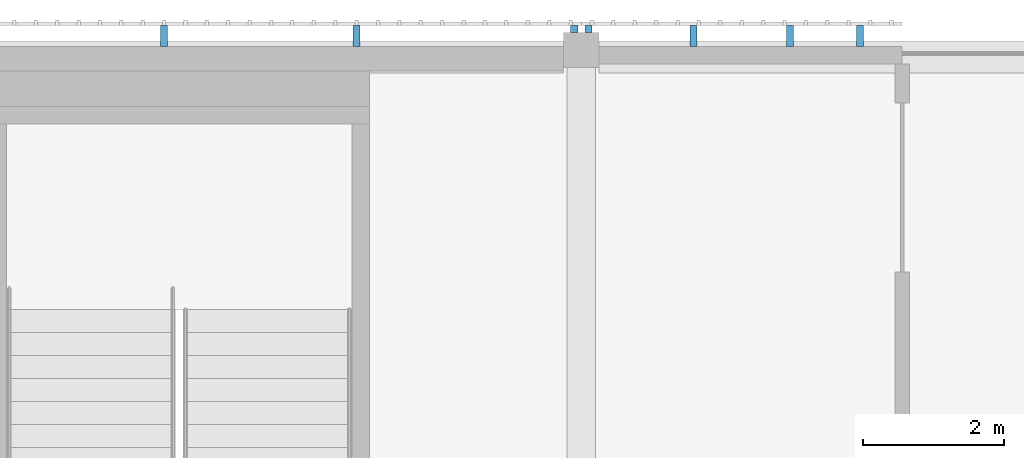
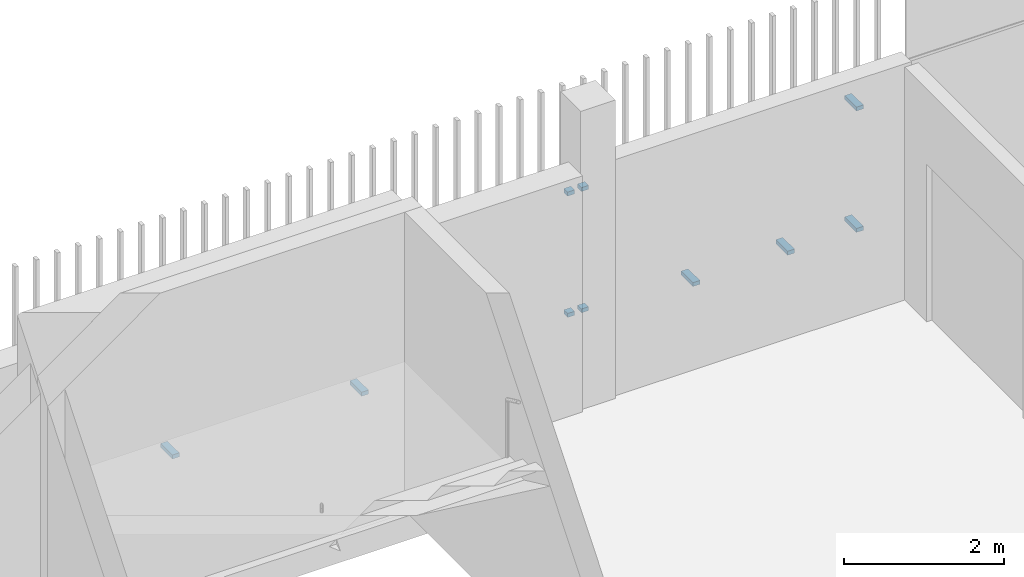
# One storey, part 68 of 91: 10 discrete accessories.
"""IFC4 building model written with IfcOpenShell, lengths in metres."""

from ifc_helpers import new_model, si_unit, direction, frame, origin, origin_2d, place, context, subcontext, project, spatial, rectangle, extrude, material, type_object, element, save


model = new_model("IFC4")

# Units and contexts
model_context = context("Model", 3, precision=1e-05, world=origin(), true_north=direction((0.0, 1.0)))
body_context = subcontext(model_context, "Body", "Model", "MODEL_VIEW")
ifc_project = project(units=[si_unit("LENGTHUNIT", "METRE"), si_unit("AREAUNIT", "SQUARE_METRE"), si_unit("VOLUMEUNIT", "CUBIC_METRE"), si_unit("PLANEANGLEUNIT", "RADIAN"), si_unit("MASSUNIT", "GRAM", prefix="KILO")], contexts=[model_context])

# Site, building, storey
site_placement = place(None, origin())
site = spatial("IfcSite", under=ifc_project, at=site_placement, CompositionType="ELEMENT")
building_placement = place(site_placement, origin())
building = spatial("IfcBuilding", under=site, at=building_placement, Name="Shirokan Park Arena", CompositionType="ELEMENT")
storey_placement = place(building_placement, frame((0.0, 0.0, 24.570068359375)))
storey = spatial("IfcBuildingStorey", under=building, at=storey_placement, Name="L05", CompositionType="ELEMENT", Elevation=24.570068359375)

# Discrete accessories
ifc_material = material(Name="Steel S355", Category="steel")
discrete_accessory_type = type_object("IfcDiscreteAccessoryType", Name="Veil bracket 100x60", PredefinedType="BRACKET", material=ifc_material)
discrete_accessory_1_placement = place(storey_placement, frame((40.35009765625, 109.49755859375, 1.06982421875), z_axis=(0.0, 0.0, 1.0), x_axis=(-1.0, 0.0, 0.0)))
element("IfcDiscreteAccessory", 1, at=discrete_accessory_1_placement, inside=storey, type_object=discrete_accessory_type, Name="Veil bracket north bay 12 L05 1", PredefinedType="BRACKET", context=body_context, shape_type="SweptSolid", body=[
    extrude(rectangle(XDim=0.10009765625, YDim=0.294921875, at=origin_2d()), origin(), (0.0, 0.0, 1.0), 0.06005859375),
])
discrete_accessory_2_placement = place(storey_placement, frame((36.5, 109.597412109375, 1.06982421875), z_axis=(0.0, 0.0, 1.0), x_axis=(-1.0, 0.0, 0.0)))
element("IfcDiscreteAccessory", 2, at=discrete_accessory_2_placement, inside=storey, type_object=discrete_accessory_type, Name="Veil bracket north bay 12 L05 2", PredefinedType="BRACKET", context=body_context, shape_type="SweptSolid", body=[
    extrude(rectangle(XDim=0.10009765625, YDim=0.094970703125, at=origin_2d()), origin(), (0.0, 0.0, 1.0), 0.06005859375),
])
discrete_accessory_3_placement = place(storey_placement, frame((40.35009765625, 109.49755859375, 2.919921875), z_axis=(0.0, 0.0, 1.0), x_axis=(-1.0, 0.0, 0.0)))
element("IfcDiscreteAccessory", 3, at=discrete_accessory_3_placement, inside=storey, type_object=discrete_accessory_type, Name="Veil bracket north bay 12 L05 3", PredefinedType="BRACKET", context=body_context, shape_type="SweptSolid", body=[
    extrude(rectangle(XDim=0.10009765625, YDim=0.294921875, at=origin_2d()), origin(), (0.0, 0.0, 1.0), 0.06005859375),
])
discrete_accessory_4_placement = place(storey_placement, frame((36.5, 109.597412109375, 2.919921875), z_axis=(0.0, 0.0, 1.0), x_axis=(-1.0, 0.0, 0.0)))
element("IfcDiscreteAccessory", 4, at=discrete_accessory_4_placement, inside=storey, type_object=discrete_accessory_type, Name="Veil bracket north bay 12 L05 4", PredefinedType="BRACKET", context=body_context, shape_type="SweptSolid", body=[
    extrude(rectangle(XDim=0.10009765625, YDim=0.094970703125, at=origin_2d()), origin(), (0.0, 0.0, 1.0), 0.06005859375),
])
for number, where, z_axis, x_axis, name in (
    (5, (39.357421875, 109.49755859375, 1.06982421875), (0.0, 0.0, 1.0), (-1.0, 0.0, 0.0), "Veil bracket north bay 12 L05 wall 1"),
    (6, (37.992431640625, 109.49755859375, 1.06982421875), (0.0, 0.0, 1.0), (-1.0, 0.0, 0.0), "Veil bracket north bay 12 L05 wall 2"),
):
    element("IfcDiscreteAccessory", number, at=place(storey_placement, frame(where, z_axis=z_axis, x_axis=x_axis)), inside=storey, type_object=discrete_accessory_type, Name=name, PredefinedType="BRACKET", context=body_context, shape_type="SweptSolid", body=[
        extrude(rectangle(XDim=0.10009765625, YDim=0.294921875, at=origin_2d()), origin(), (0.0, 0.0, 1.0), 0.06005859375),
    ])
for number, where, z_axis, x_axis, name in (
    (7, (36.300048828125, 109.597412109375, 1.06982421875), (0.0, 0.0, 1.0), (-1.0, 0.0, 0.0), "Veil bracket north bay 13 L05 1"),
    (8, (36.300048828125, 109.597412109375, 2.919921875), (0.0, 0.0, 1.0), (-1.0, 0.0, 0.0), "Veil bracket north bay 13 L05 3"),
):
    element("IfcDiscreteAccessory", number, at=place(storey_placement, frame(where, z_axis=z_axis, x_axis=x_axis)), inside=storey, type_object=discrete_accessory_type, Name=name, PredefinedType="BRACKET", context=body_context, shape_type="SweptSolid", body=[
        extrude(rectangle(XDim=0.10009765625, YDim=0.094970703125, at=origin_2d()), origin(), (0.0, 0.0, 1.0), 0.06005859375),
    ])
for number, where, z_axis, x_axis, name in (
    (9, (33.215087890625, 109.49755859375, 1.06982421875), (0.0, 0.0, 1.0), (-1.0, 0.0, 0.0), "Veil bracket north bay 13 L05 wall 1"),
    (10, (30.485107421875, 109.49755859375, 1.06982421875), (0.0, 0.0, 1.0), (-1.0, 0.0, 0.0), "Veil bracket north bay 13 L05 wall 2"),
):
    element("IfcDiscreteAccessory", number, at=place(storey_placement, frame(where, z_axis=z_axis, x_axis=x_axis)), inside=storey, type_object=discrete_accessory_type, Name=name, PredefinedType="BRACKET", context=body_context, shape_type="SweptSolid", body=[
        extrude(rectangle(XDim=0.10009765625, YDim=0.294921875, at=origin_2d()), origin(), (0.0, 0.0, 1.0), 0.06005859375),
    ])

save(model, "model.ifc")
